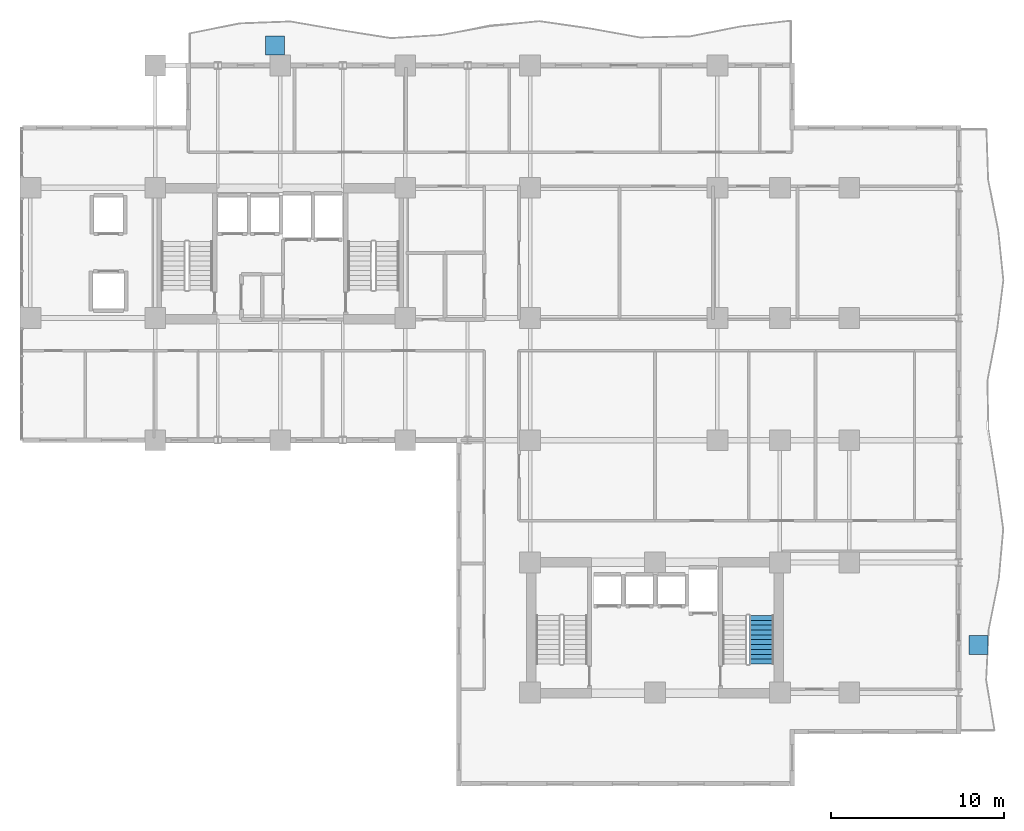
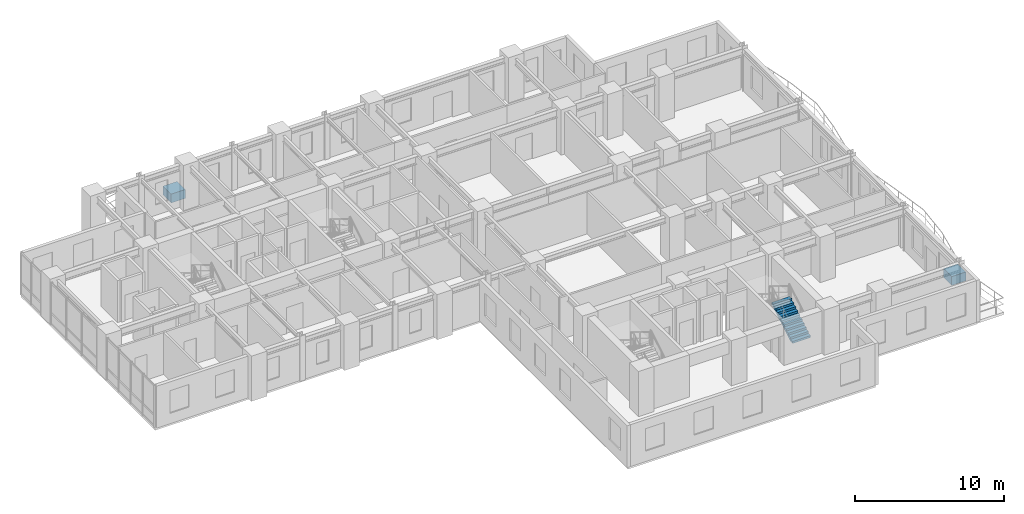
# One storey, part 14 of 17: 2 discrete accessories, 1 stair flight, 1 element without a shape of its own.
"""IFC4 building model written with IfcOpenShell, lengths in metres."""

from ifc_helpers import new_model, si_unit, direction, frame, origin, origin_2d, place, context, subcontext, project, spatial, polyline, rectangle, outline, extrude, source, transform, mapped, material, type_object, element, aggregate, save


model = new_model("IFC4")

# Units and contexts
model_context = context("Model", 3, precision=1e-05, world=origin(), true_north=direction((0.0, 1.0)))
body_context = subcontext(model_context, "Body", "Model", "MODEL_VIEW")
ifc_project = project(units=[si_unit("LENGTHUNIT", "METRE"), si_unit("AREAUNIT", "SQUARE_METRE"), si_unit("VOLUMEUNIT", "CUBIC_METRE"), si_unit("PLANEANGLEUNIT", "RADIAN"), si_unit("MASSUNIT", "GRAM", prefix="KILO")], contexts=[model_context])

# Site, building, storey
site_placement = place(None, origin())
site = spatial("IfcSite", under=ifc_project, at=site_placement, CompositionType="ELEMENT")
building_placement = place(site_placement, origin())
building = spatial("IfcBuilding", under=site, at=building_placement, Name="Kaliganga Portal Commons", CompositionType="ELEMENT")
storey_placement = place(building_placement, frame((0.0, 0.0, 108.199951171875)))
storey = spatial("IfcBuildingStorey", under=building, at=storey_placement, Name="L27", CompositionType="ELEMENT", Elevation=108.199951171875)

# Stair, stair flight
ifc_material_1 = material(Name="Concrete C40/50", Category="concrete")
stair_type = type_object("IfcStairType", Name="ST-CORE-DOGLEG", PredefinedType="HALF_TURN_STAIR", material=ifc_material_1)
stair_placement = place(storey_placement, origin())
stair = element("IfcStair", 1, at=stair_placement, inside=storey, type_object=stair_type, Name="L27 Protected Exit Stair ST-B2", PredefinedType="HALF_TURN_STAIR")
stair_flight_type = type_object("IfcStairFlightType", Name="STF-RC-1400", PredefinedType="STRAIGHT", material=ifc_material_1)
stair_flight_placement = place(storey_placement, frame((49.35009765625, 8.699951171875, 0.0), z_axis=(0.0, 0.0, 1.0), x_axis=(0.0, 1.0, 0.0)))
stair_flight = element("IfcStairFlight", 2, at=stair_flight_placement, type_object=stair_flight_type, Name="ST-B2 flight 1", NumberOfRisers=11, NumberOfTreads=10, PredefinedType="STRAIGHT", RiserHeight=0.168181818, TreadLength=0.28, context=body_context, shape_type="SweptSolid", body=[
    extrude(outline(polyline([(0.0, 0.0), (0.0, 0.168212890625), (0.280029296875, 0.168212890625), (0.280029296875, 0.33642578125), (0.56005859375, 0.33642578125), (0.56005859375, 0.504638671875), (0.840087890625, 0.504638671875), (0.840087890625, 0.672607421875), (1.1201171875, 0.672607421875), (1.1201171875, 0.8408203125), (1.39990234375, 0.8408203125), (1.39990234375, 1.009033203125), (1.679931640625, 1.009033203125), (1.679931640625, 1.17724609375), (1.9599609375, 1.17724609375), (1.9599609375, 1.345458984375), (2.239990234375, 1.345458984375), (2.239990234375, 1.513671875), (2.52001953125, 1.513671875), (2.52001953125, 1.681884765625), (2.800048828125, 1.681884765625), (2.800048828125, 1.85009765625), (2.800048828125, 1.5068359375), (0.291015625, 0.0), (0.0, 0.0)])), frame((0.0, 0.699951171875, 0.0), z_axis=(0.0, -1.0, 0.0), x_axis=(1.0, 0.0, 0.0)), (0.0, 0.0, 1.0), 1.39990234375),
])
aggregate(stair, [stair_flight])

# Discrete accessories
ifc_material_2 = material(Name="Precast concrete C40/50", Category="concrete")
discrete_accessory_type = type_object("IfcDiscreteAccessoryType", Name="DAC-PLANTER-RC", PredefinedType="USERDEFINED", material=ifc_material_2)
shared_shape = source(origin(), body_context, "Body", "SweptSolid", [
    extrude(rectangle(XDim=1.10009765625, YDim=1.10009765625, at=origin_2d()), origin(), (0.0, 0.0, 1.0), 0.719970703125),
])
for number, where, z_axis, x_axis, name in (
    (3, (21.300048828125, 44.35009765625, 0.0), (0.0, 0.0, 1.0), (1.0, 0.0, 0.0), "Structural Tree Planter L27 balc_north"),
    (4, (61.85009765625, 9.800048828125, 0.0), (0.0, 0.0, 1.0), (1.0, 0.0, 0.0), "Structural Tree Planter L27 balc_east"),
):
    element("IfcDiscreteAccessory", number, at=place(storey_placement, frame(where, z_axis=z_axis, x_axis=x_axis)), inside=storey, type_object=discrete_accessory_type, Name=name, ObjectType="PLANTER", PredefinedType="USERDEFINED", context=body_context, shape_type="MappedRepresentation", body=[
        mapped(shared_shape, transform((0.0, 0.0, 0.0), x_axis=(1.0, 0.0, 0.0), y_axis=(0.0, 1.0, 0.0), z_axis=(0.0, 0.0, 1.0), scale=1.0)),
    ])

save(model, "model.ifc")
